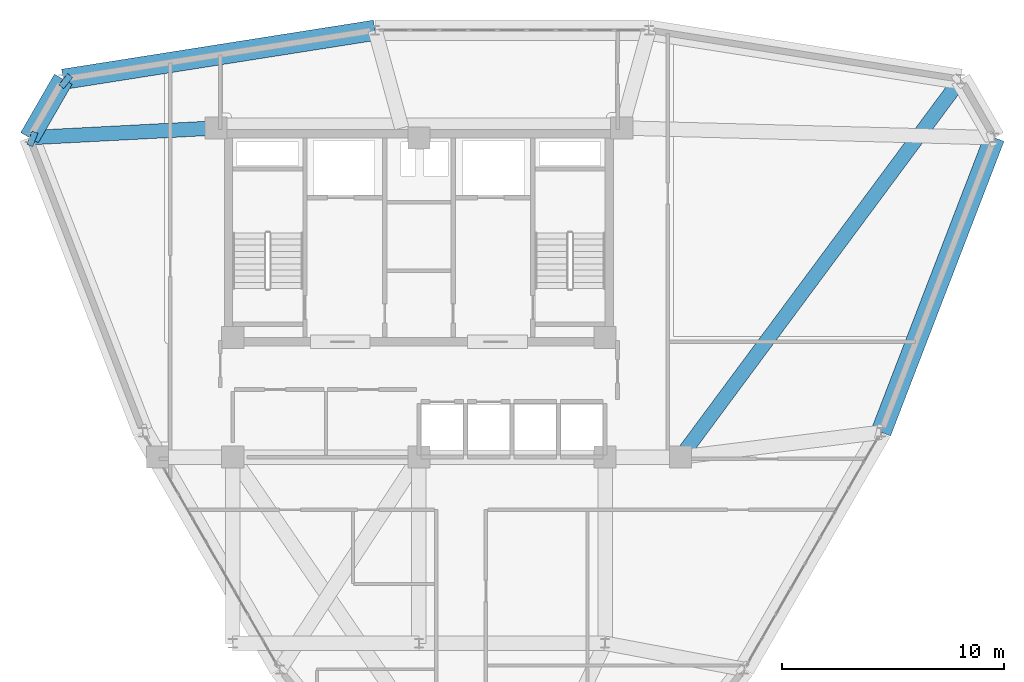
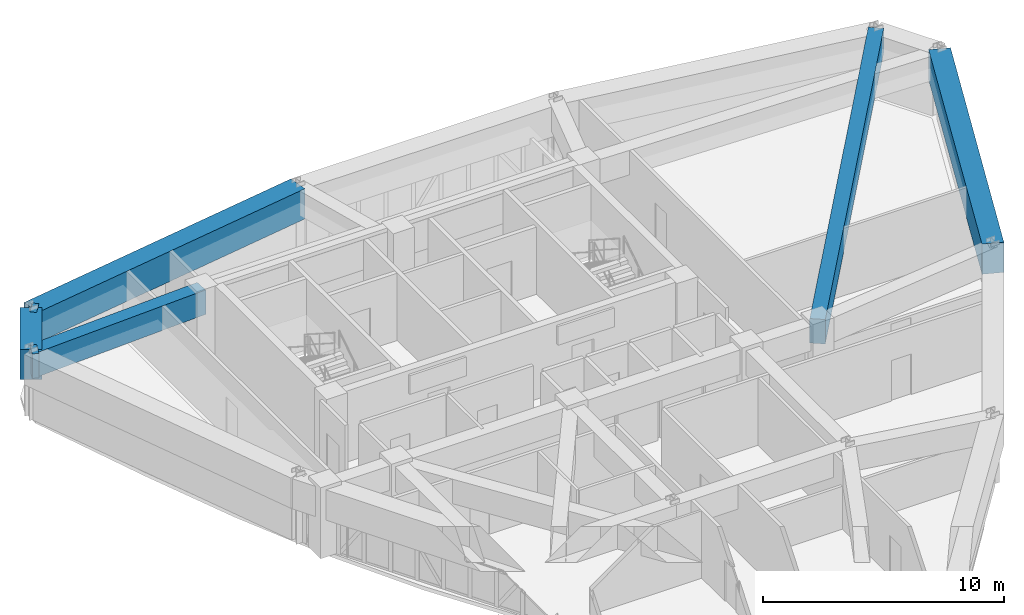
# One storey, part 7 of 16: 7 beams.
"""IFC4 building model written with IfcOpenShell, lengths in metres."""

import ifcopenshell
import ifcopenshell.guid

model = None  # the IFC model being written
_history = None  # IfcOwnerHistory: only IFC2X3 demands one
_inside = {}  # id of a spatial element -> (the spatial element, [elements in it])
_under = {}  # id of a project, library or spatial element -> (it, [spatial elements below it])
_declared = {}  # id of a project -> (the project, [libraries it declares])
_typed = {}  # id of a type object -> (the type object, [elements of that type])
_made_of = {}  # id of a material, layer set ... -> (it, [elements and type objects made of it])


def new_model(schema):
    """Start an empty IFC model of exactly this schema.

    Asked for "IFC4X3", IfcOpenShell would pick the latest addendum, in which some entities
    have other attributes; the version numbers below select the first issue.
    IFC2X3 requires an IfcOwnerHistory on every rooted entity: one is made here for all.
    """
    global model, _history
    if schema == "IFC4X3":
        model = ifcopenshell.file(schema_version=(4, 3, 0, 0))
    else:
        model = ifcopenshell.file(schema=schema)
    _inside.clear()
    _under.clear()
    _declared.clear()
    _typed.clear()
    _made_of.clear()
    _history = None
    if model.schema == "IFC2X3":
        org = make("IfcOrganization", Name="unknown")
        user = make(
            "IfcPersonAndOrganization",
            ThePerson=make("IfcPerson", FamilyName="unknown"),
            TheOrganization=org,
        )
        app = make(
            "IfcApplication",
            ApplicationDeveloper=org,
            Version="unknown",
            ApplicationFullName="unknown",
            ApplicationIdentifier="unknown",
        )
        _history = make(
            "IfcOwnerHistory",
            OwningUser=user,
            OwningApplication=app,
            ChangeAction="ADDED",
            CreationDate=0,
        )
    return model


def make(cls, **values):
    """One entity of the class cls with the attributes given. An attribute that is None is left unset."""
    return model.create_entity(
        cls, **{name: value for name, value in values.items() if value is not None}
    )


def rooted(cls, **values):
    """An entity with a GlobalId (a new one), such as an element, a storey or a relation."""
    return make(cls, GlobalId=ifcopenshell.guid.new(), OwnerHistory=_history, **values)


def si_unit(unit_type, name, prefix=None):
    """IfcSIUnit, for example si_unit("LENGTHUNIT", "METRE", prefix="MILLI")."""
    return make("IfcSIUnit", UnitType=unit_type, Prefix=prefix, Name=name)


def derived_unit(unit_type, elements):
    """IfcDerivedUnit: a product of units, each with its exponent."""
    return make(
        "IfcDerivedUnit",
        Elements=[
            make("IfcDerivedUnitElement", Unit=unit, Exponent=power)
            for unit, power in elements
        ],
        UnitType=unit_type,
    )


def assignment(units):
    """IfcUnitAssignment: the units of a project."""
    return None if units is None else make("IfcUnitAssignment", Units=units)


def point(xyz):
    """IfcCartesianPoint."""
    return None if xyz is None else make("IfcCartesianPoint", Coordinates=xyz)


def direction(xyz):
    """IfcDirection."""
    return None if xyz is None else make("IfcDirection", DirectionRatios=xyz)


def frame(location, z_axis=None, x_axis=None):
    """IfcAxis2Placement3D, a coordinate frame: its origin and axes. An axis left out is left unset."""
    return make(
        "IfcAxis2Placement3D",
        Location=point(location),
        Axis=direction(z_axis),
        RefDirection=direction(x_axis),
    )


def frame_2d(location, x_axis=None):
    """IfcAxis2Placement2D, a coordinate frame in the plane: its origin and x axis."""
    return make(
        "IfcAxis2Placement2D", Location=point(location), RefDirection=direction(x_axis)
    )


def origin():
    """The frame at (0, 0, 0) with its axes left unset."""
    return frame((0.0, 0.0, 0.0))


def origin_2d():
    """The frame at (0, 0) in the plane with its x axis left unset."""
    return frame_2d((0.0, 0.0))


def place(relative_to, where):
    """IfcLocalPlacement: puts the frame where relative to a parent placement (None: the world)."""
    return make(
        "IfcLocalPlacement", PlacementRelTo=relative_to, RelativePlacement=where
    )


def context(
    kind, dimensions, precision=None, world=None, true_north=None, identifier=None
):
    """IfcGeometricRepresentationContext, for example the 3D "Model" context."""
    return make(
        "IfcGeometricRepresentationContext",
        ContextIdentifier=identifier,
        ContextType=kind,
        CoordinateSpaceDimension=dimensions,
        Precision=precision,
        WorldCoordinateSystem=world,
        TrueNorth=true_north,
    )


def subcontext(parent, identifier, kind, view, scale=None):
    """IfcGeometricRepresentationSubContext, for example "Body" below "Model"."""
    return make(
        "IfcGeometricRepresentationSubContext",
        ContextIdentifier=identifier,
        ContextType=kind,
        ParentContext=parent,
        TargetScale=scale,
        TargetView=view,
    )


def project(units=None, contexts=None):
    """IfcProject with its units and contexts."""
    return rooted(
        "IfcProject",
        Name="project",
        RepresentationContexts=contexts,
        UnitsInContext=assignment(units),
    )


def spatial(cls, under=None, at=None, **own):
    """A site, building, storey or space (cls), placed at a placement, below another one or the project."""
    s = rooted(cls, ObjectPlacement=at, **own)
    if under is not None:
        _under.setdefault(under.id(), (under, []))[1].append(s)
    return s


def profile(cls, at=None, kind="AREA", **sizes):
    """A parametric profile (cls). Its sizes go by their IFC names, for example OverallWidth=200.0."""
    return make(cls, ProfileType=kind, Position=at, **sizes)


def rectangle(**sizes):
    """IfcRectangleProfileDef."""
    return profile("IfcRectangleProfileDef", **sizes)


def extrude(swept, where, along, depth):
    """IfcExtrudedAreaSolid: the profile swept, set in the frame where, extruded along a direction by depth."""
    return make(
        "IfcExtrudedAreaSolid",
        SweptArea=swept,
        Position=where,
        ExtrudedDirection=direction(along),
        Depth=depth,
    )


def shape(context_of_items, identifier, shape_type, items):
    """IfcShapeRepresentation: the items that make up one representation, for example the "Body"."""
    return make(
        "IfcShapeRepresentation",
        ContextOfItems=context_of_items,
        RepresentationIdentifier=identifier,
        RepresentationType=shape_type,
        Items=items,
    )


def source(mapping_origin, context_of_items, identifier, shape_type, items):
    """IfcRepresentationMap: a shape defined once, which mapped items show again and again."""
    return make(
        "IfcRepresentationMap",
        MappingOrigin=mapping_origin,
        MappedRepresentation=shape(context_of_items, identifier, shape_type, items),
    )


def transform(
    local_origin,
    x_axis=None,
    y_axis=None,
    z_axis=None,
    scale=None,
    scale2=None,
    scale3=None,
    uniform=True,
):
    """IfcCartesianTransformationOperator3D, or its non-uniform kind. x_axis, y_axis, z_axis: its Axis1, 2, 3."""
    if uniform:
        return make(
            "IfcCartesianTransformationOperator3D",
            Axis1=direction(x_axis),
            Axis2=direction(y_axis),
            LocalOrigin=point(local_origin),
            Scale=scale,
            Axis3=direction(z_axis),
        )
    return make(
        "IfcCartesianTransformationOperator3DnonUniform",
        Axis1=direction(x_axis),
        Axis2=direction(y_axis),
        LocalOrigin=point(local_origin),
        Scale=scale,
        Axis3=direction(z_axis),
        Scale2=scale2,
        Scale3=scale3,
    )


def mapped(mapping_source, mapping_target):
    """IfcMappedItem: shows the shape of a source again, moved by a transform."""
    return make(
        "IfcMappedItem", MappingSource=mapping_source, MappingTarget=mapping_target
    )


def material(Name=None, Category=None):
    """IfcMaterial."""
    return make("IfcMaterial", Name=Name, Category=Category)


def material_profile(
    of_material, cross_section, Name=None, Category=None, Priority=None
):
    """IfcMaterialProfile: a cross section and its material."""
    return make(
        "IfcMaterialProfile",
        Name=Name,
        Material=of_material,
        Profile=cross_section,
        Priority=Priority,
        Category=Category,
    )


def profile_set(profiles, Name=None, composite=None):
    """IfcMaterialProfileSet."""
    return make(
        "IfcMaterialProfileSet",
        Name=Name,
        MaterialProfiles=profiles,
        CompositeProfile=composite,
    )


def made_of(thing, what):
    """Note that an element or type object is made of a material, layer set ...; save() writes the relation."""
    if what is not None:
        _made_of.setdefault(what.id(), (what, []))[1].append(thing)
    return thing


def type_object(cls, material=None, **own):
    """A type object (cls), such as IfcWallType, which elements share."""
    return made_of(rooted(cls, **own), material)


def element(
    cls,
    number,
    at=None,
    inside=None,
    cuts=None,
    type_object=None,
    material=None,
    context=None,
    identifier="Body",
    shape_type=None,
    held_by="IfcProductDefinitionShape",
    body=None,
    shapes=None,
    **own,
):
    """One element of the class cls, such as IfcWall. Its Tag is "e" and its number.

    at: its placement. inside: the storey or other place that contains it. cuts: it is an
    opening in that element (IfcRelVoidsElement). A single representation is given by context,
    identifier, shape_type and body (its items); several are given by shapes. held_by: the class
    of the entity that holds the representations. save() writes the other relations.
    """
    e = rooted(cls, Tag="e%d" % number, ObjectPlacement=at, **own)
    if body is not None:
        shapes = [shape(context, identifier, shape_type, body)]
    if shapes is not None:
        e.Representation = make(held_by, Representations=shapes)
    if inside is not None:
        _inside.setdefault(inside.id(), (inside, []))[1].append(e)
    if cuts is not None:
        rooted(
            "IfcRelVoidsElement", RelatingBuildingElement=cuts, RelatedOpeningElement=e
        )
    if type_object is not None:
        _typed.setdefault(type_object.id(), (type_object, []))[1].append(e)
    return made_of(e, material)


def aggregate(whole, parts):
    """IfcRelAggregates: a whole, such as a stair, and the parts it consists of."""
    return rooted("IfcRelAggregates", RelatingObject=whole, RelatedObjects=parts)


def save(model, path):
    """Write the relations noted so far, then the file.

    IfcRelAggregates (storeys below a building ...), IfcRelContainedInSpatialStructure (elements
    in a storey), IfcRelDefinesByType, IfcRelAssociatesMaterial and IfcRelDeclares: one each for
    every whole, place, type object, material and project.
    """
    for whole, parts in _under.values():
        aggregate(whole, parts)
    for where, things in _inside.values():
        rooted(
            "IfcRelContainedInSpatialStructure",
            RelatedElements=things,
            RelatingStructure=where,
        )
    for kind, things in _typed.values():
        rooted("IfcRelDefinesByType", RelatedObjects=things, RelatingType=kind)
    for what, things in _made_of.values():
        rooted("IfcRelAssociatesMaterial", RelatedObjects=things, RelatingMaterial=what)
    for by, libraries in _declared.values():
        rooted("IfcRelDeclares", RelatingContext=by, RelatedDefinitions=libraries)
    model.write(path)


model = new_model("IFC4")

# Units and contexts
model_context = context("Model", 3, precision=1e-05, world=origin(), true_north=direction((0.0, 1.0)))
body_context = subcontext(model_context, "Body", "Model", "MODEL_VIEW")
ifc_project = project(units=[si_unit("LENGTHUNIT", "METRE"), si_unit("AREAUNIT", "SQUARE_METRE"), si_unit("VOLUMEUNIT", "CUBIC_METRE"), si_unit("PLANEANGLEUNIT", "RADIAN"), si_unit("MASSUNIT", "GRAM", prefix="KILO"), derived_unit("THERMALTRANSMITTANCEUNIT", [(si_unit("POWERUNIT", "WATT"), 1), (si_unit("LENGTHUNIT", "METRE"), -2), (si_unit("THERMODYNAMICTEMPERATUREUNIT", "KELVIN"), -1)])], contexts=[model_context])

# Site, building, storey
site_placement = place(None, origin())
site = spatial("IfcSite", under=ifc_project, at=site_placement, CompositionType="ELEMENT")
building_placement = place(site_placement, origin())
building = spatial("IfcBuilding", under=site, at=building_placement, Name="Korsvarv Bourse and Concert Hall", CompositionType="ELEMENT")
storey_placement = place(building_placement, frame((0.0, 0.0, 213.0)))
storey = spatial("IfcBuildingStorey", under=building, at=storey_placement, Name="L55", CompositionType="ELEMENT", Elevation=213.0)

# Beams
ifc_material = material(Name="Concrete C50/60", Category="concrete")
ifc_material_profile_1 = material_profile(ifc_material, rectangle(XDim=0.64990234375, YDim=1.239990234375, at=origin_2d()), Name="RC-BM 650x1240")
ifc_profile_set_1 = profile_set([ifc_material_profile_1], Name="Concrete C50/60")
beam_type_1 = type_object("IfcBeamType", Name="BM-TR-SPN", PredefinedType="BEAM", material=ifc_profile_set_1)
shared_shape_1 = source(origin(), body_context, "Body", "SweptSolid", [
    extrude(rectangle(XDim=0.64990234375, YDim=1.239990234375, at=origin_2d()), origin(), (0.0, 0.0, 1.0), 0.2822265625),
])
beam_1_placement = place(storey_placement, frame((18.429931640625, 46.811279296875, 2.7900390625), z_axis=(0.931370313422, -0.364073260864, 0.0), x_axis=(0.364073260864, 0.931370313422, 0.0)))
element("IfcBeam", 1, at=beam_1_placement, inside=storey, type_object=beam_type_1, Name="L55 beam B-TRS", PredefinedType="BEAM", context=body_context, shape_type="MappedRepresentation", body=[
    mapped(shared_shape_1, transform((0.0, 0.0, 0.0), scale=1.0)),
])
ifc_material_profile_2 = material_profile(ifc_material, rectangle(XDim=0.919921875, YDim=1.530029296875, at=origin_2d()), Name="RC-BM 920x1530")
ifc_profile_set_2 = profile_set([ifc_material_profile_2], Name="Concrete C50/60")
beam_type_2 = type_object("IfcBeamType", Name="BM-TR-154", PredefinedType="BEAM", material=ifc_profile_set_2)
shared_shape_2 = source(origin(), body_context, "Body", "SweptSolid", [
    extrude(rectangle(XDim=0.919921875, YDim=1.530029296875, at=origin_2d()), origin(), (0.0, 0.0, 1.0), 14.244384765625),
])
for number, where, z_axis, x_axis, name in (
    (2, (34.023193359375, 51.66162109375, 2.64501953125), (-0.987848421063, -0.15542038799, 0.0), (0.15542038799, -0.987848421063, 0.0), "L55 beam B-TR6"),
    (3, (56.851806640625, 33.518310546875, 2.64501953125), (0.359329353343, 0.93321080996, 0.0), (-0.93321080996, 0.359329353343, 0.0), "L55 beam B-TR6"),
):
    element("IfcBeam", number, at=place(storey_placement, frame(where, z_axis=z_axis, x_axis=x_axis)), inside=storey, type_object=beam_type_2, Name=name, PredefinedType="BEAM", context=body_context, shape_type="MappedRepresentation", body=[
        mapped(shared_shape_2, transform((0.0, 0.0, 0.0), scale=1.0)),
    ])
shared_shape_3 = source(origin(), body_context, "Body", "SweptSolid", [
    extrude(rectangle(XDim=0.919921875, YDim=1.530029296875, at=origin_2d()), origin(), (0.0, 0.0, 1.0), 3.044189453125),
])
beam_2_placement = place(storey_placement, frame((19.951904296875, 49.44775390625, 2.64501953125), z_axis=(-0.499951546443, -0.866053376651, 0.0), x_axis=(0.866053376651, -0.499951546443, 0.0)))
element("IfcBeam", 4, at=beam_2_placement, inside=storey, type_object=beam_type_2, Name="L55 beam B-TR6", PredefinedType="BEAM", context=body_context, shape_type="MappedRepresentation", body=[
    mapped(shared_shape_3, transform((0.0, 0.0, 0.0), scale=1.0)),
])
shared_shape_4 = source(origin(), body_context, "Body", "SweptSolid", [
    extrude(rectangle(XDim=0.64990234375, YDim=1.239990234375, at=origin_2d()), origin(), (0.0, 0.0, 1.0), 21.227294921875),
])
beam_3_placement = place(storey_placement, frame((60.447998046875, 49.44775390625, 2.7900390625), z_axis=(-0.595833045411, -0.803108325194, 0.0), x_axis=(0.803108325194, -0.595833045411, 0.0)))
element("IfcBeam", 5, at=beam_3_placement, inside=storey, type_object=beam_type_1, Name="L55 beam B-TRS", PredefinedType="BEAM", context=body_context, shape_type="MappedRepresentation", body=[
    mapped(shared_shape_4, transform((0.0, 0.0, 0.0), scale=1.0)),
])
shared_shape_5 = source(origin(), body_context, "Body", "SweptSolid", [
    extrude(rectangle(XDim=0.64990234375, YDim=1.239990234375, at=origin_2d()), origin(), (0.0, 0.0, 1.0), 8.431640625),
])
beam_4_placement = place(storey_placement, frame((18.429931640625, 46.811279296875, 2.7900390625), z_axis=(0.998645366563, 0.052032988017, 0.0), x_axis=(-0.052032988017, 0.998645366563, 0.0)))
element("IfcBeam", 6, at=beam_4_placement, inside=storey, type_object=beam_type_1, Name="L55 beam B-TRS", PredefinedType="BEAM", context=body_context, shape_type="MappedRepresentation", body=[
    mapped(shared_shape_5, transform((0.0, 0.0, 0.0), scale=1.0)),
])
shared_shape_6 = source(origin(), body_context, "Body", "SweptSolid", [
    extrude(rectangle(XDim=0.64990234375, YDim=1.239990234375, at=origin_2d()), origin(), (0.0, 0.0, 1.0), 0.28271484375),
])
beam_5_placement = place(storey_placement, frame((19.951904296875, 49.44775390625, 2.7900390625), z_axis=(0.781710800258, -0.623641102526, 0.0), x_axis=(0.623641102526, 0.781710800258, 0.0)))
element("IfcBeam", 7, at=beam_5_placement, inside=storey, type_object=beam_type_1, Name="L55 beam B-TRS", PredefinedType="BEAM", context=body_context, shape_type="MappedRepresentation", body=[
    mapped(shared_shape_6, transform((0.0, 0.0, 0.0), scale=1.0)),
])

save(model, "model.ifc")
